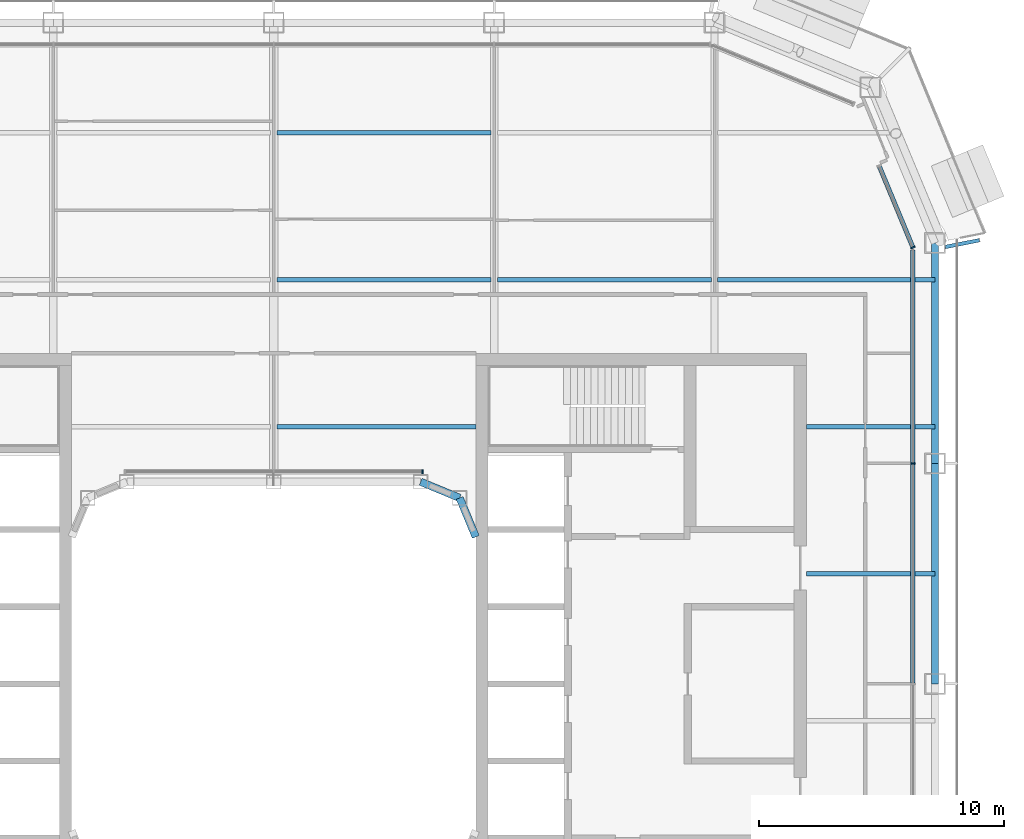
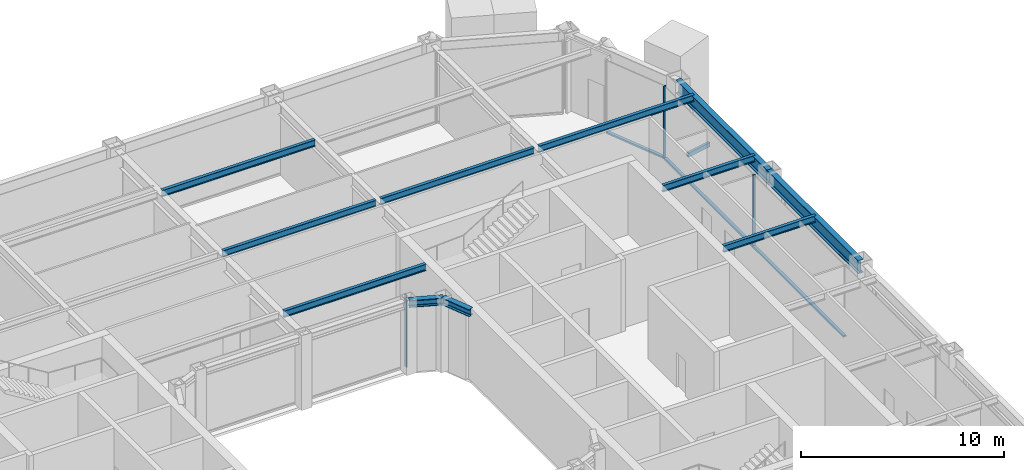
# One storey, part 9 of 23: 12 beams, 6 members, 3 elements without a shape of their own.
"""IFC4 building model written with IfcOpenShell, lengths in metres."""

from ifc_helpers import new_model, si_unit, direction, frame, origin, origin_2d, place, context, subcontext, project, spatial, rectangle, hollow_rectangle, i_section, extrude, material, layer, layer_set, material_profile, profile_set, type_object, element, aggregate, save


model = new_model("IFC4")

# Units and contexts
model_context = context("Model", 3, precision=1e-05, world=origin(), true_north=direction((0.0, 1.0)))
body_context = subcontext(model_context, "Body", "Model", "MODEL_VIEW")
ifc_project = project(units=[si_unit("LENGTHUNIT", "METRE"), si_unit("AREAUNIT", "SQUARE_METRE"), si_unit("VOLUMEUNIT", "CUBIC_METRE"), si_unit("PLANEANGLEUNIT", "RADIAN"), si_unit("MASSUNIT", "GRAM", prefix="KILO")], contexts=[model_context])

# Site, building, storey
site_placement = place(None, origin())
site = spatial("IfcSite", under=ifc_project, at=site_placement, CompositionType="ELEMENT")
building_placement = place(site_placement, origin())
building = spatial("IfcBuilding", under=site, at=building_placement, Name="Siwar Civic Tower", CompositionType="ELEMENT")
storey_placement = place(building_placement, frame((0.0, 0.0, 206.199951171875)))
storey = spatial("IfcBuildingStorey", under=building, at=storey_placement, Name="L44", CompositionType="ELEMENT", Elevation=206.199951171875)

# Beam
ifc_material_1 = material(Name="Steel S355", Category="steel")
ifc_material_profile_1 = material_profile(ifc_material_1, hollow_rectangle(XDim=0.14990234375, YDim=0.25, WallThickness=0.010009765625, at=origin_2d()), Name="RHS250x150x10")
ifc_profile_set_1 = profile_set([ifc_material_profile_1], Name="Steel S355")
beam_type_1 = type_object("IfcBeamType", Name="ENV-BALCONY ARM", PredefinedType="BEAM", material=ifc_profile_set_1)
beam_1_placement = place(storey_placement, frame((27.425048828125, 17.83984375, -0.27490234375), z_axis=(0.980778884878, 0.195122471741, 0.0), x_axis=(-0.195122471741, 0.980778884878, 0.0)))
element("IfcBeam", 1, at=beam_1_placement, inside=storey, type_object=beam_type_1, Name="Balcony cantilever beam NE 1", PredefinedType="BEAM", context=body_context, shape_type="SweptSolid", body=[
    extrude(hollow_rectangle(XDim=0.14990234375, YDim=0.25, WallThickness=0.010009765625, at=origin_2d()), origin(), (0.0, 0.0, 1.0), 1.417724609375),
])

# Curtain wall, member
ifc_material_2 = material(Name="Aluminium and glass", Category="aluminium")
ifc_layer_1 = layer(ifc_material_2, 0.179931640625)
ifc_layer_set_1 = layer_set([ifc_layer_1], Name="Aluminium and glass")
curtain_wall_type_1 = type_object("IfcCurtainWallType", Name="ENV-CW-C", PredefinedType="NOTDEFINED", material=ifc_layer_set_1)
curtain_wall_1_placement = place(storey_placement, origin())
curtain_wall_1 = element("IfcCurtainWall", 2, at=curtain_wall_1_placement, inside=storey, type_object=curtain_wall_type_1, Name="Curtain wall C E", PredefinedType="NOTDEFINED")
ifc_material_3 = material(Name="Aluminium 6063-T6", Category="aluminium")
ifc_material_profile_2 = material_profile(ifc_material_3, rectangle(XDim=0.179931640625, YDim=0.06005859375, at=origin_2d()), Name="AL 180x60")
ifc_profile_set_2 = profile_set([ifc_material_profile_2], Name="Aluminium 6063-T6")
member_type_1 = type_object("IfcMemberType", Name="ENV-MULLION-C", PredefinedType="MULLION", material=ifc_profile_set_2)
member_1_placement = place(storey_placement, frame((26.10009765625, 9.0, 0.0), z_axis=(0.0, 0.0, 1.0), x_axis=(-1.0, 0.0, 0.0)))
member_1 = element("IfcMember", 3, at=member_1_placement, type_object=member_type_1, Name="Mullion C E 4", PredefinedType="MULLION", context=body_context, shape_type="SweptSolid", body=[
    extrude(rectangle(XDim=0.179931640625, YDim=0.06005859375, at=origin_2d()), origin(), (0.0, 0.0, 1.0), 4.35009765625),
])

ifc_material_4 = material(Name="Aluminium clad insulated panel", Category="aluminium")
ifc_layer_2 = layer(ifc_material_4, 0.179931640625)
ifc_layer_set_2 = layer_set([ifc_layer_2], Name="Aluminium clad insulated panel")
curtain_wall_type_2 = type_object("IfcCurtainWallType", Name="ENV-CW-CX", PredefinedType="NOTDEFINED", material=ifc_layer_set_2)
curtain_wall_2_placement = place(storey_placement, origin())
curtain_wall_2 = element("IfcCurtainWall", 4, at=curtain_wall_2_placement, inside=storey, type_object=curtain_wall_type_2, Name="Curtain wall C NE1", PredefinedType="NOTDEFINED")
member_2_placement = place(storey_placement, frame((26.10009765625, 17.821044921875, 0.0), z_axis=(0.0, 0.0, 1.0), x_axis=(-0.923879532511, -0.382683432365, 0.0)))
member_2 = element("IfcMember", 5, at=member_2_placement, type_object=member_type_1, Name="Mullion C NE1 1", PredefinedType="MULLION", context=body_context, shape_type="SweptSolid", body=[
    extrude(rectangle(XDim=0.179931640625, YDim=0.06005859375, at=origin_2d()), origin(), (0.0, 0.0, 1.0), 4.35009765625),
])

ifc_material_5 = material(Name="Aluminium and glass", Category="aluminium")
ifc_layer_3 = layer(ifc_material_5, 0.179931640625)
ifc_layer_set_3 = layer_set([ifc_layer_3], Name="Aluminium and glass")
curtain_wall_type_3 = type_object("IfcCurtainWallType", Name="ENV-CW-W", PredefinedType="NOTDEFINED", material=ifc_layer_set_3)
curtain_wall_3_placement = place(storey_placement, origin())
curtain_wall_3 = element("IfcCurtainWall", 6, at=curtain_wall_3_placement, inside=storey, type_object=curtain_wall_type_3, Name="Curtain wall W WN", PredefinedType="NOTDEFINED")
ifc_material_6 = material(Name="Aluminium 6063-T6", Category="aluminium")
ifc_material_profile_3 = material_profile(ifc_material_6, rectangle(XDim=0.179931640625, YDim=0.06005859375, at=origin_2d()), Name="AL 180x60")
ifc_profile_set_3 = profile_set([ifc_material_profile_3], Name="Aluminium 6063-T6")
member_type_2 = type_object("IfcMemberType", Name="ENV-MULLION-W", PredefinedType="MULLION", material=ifc_profile_set_3)
member_3_placement = place(storey_placement, frame((6.08154296875, 8.659912109375, 0.0), z_axis=(0.0, 0.0, 1.0), x_axis=(0.0, -1.0, 0.0)))
member_3 = element("IfcMember", 7, at=member_3_placement, type_object=member_type_2, Name="Mullion W WN 1", PredefinedType="MULLION", context=body_context, shape_type="SweptSolid", body=[
    extrude(rectangle(XDim=0.179931640625, YDim=0.06005859375, at=origin_2d()), origin(), (0.0, 0.0, 1.0), 4.35009765625),
])
aggregate(curtain_wall_3, [member_3])

# Member
ifc_material_7 = material(Name="Aluminium 6063-T6", Category="aluminium")
ifc_material_profile_4 = material_profile(ifc_material_7, rectangle(XDim=0.179931640625, YDim=0.10009765625, at=origin_2d()), Name="AL 180x100")
ifc_profile_set_4 = profile_set([ifc_material_profile_4], Name="Aluminium 6063-T6")
member_type_3 = type_object("IfcMemberType", Name="ENV-TRANSOM-C", PredefinedType="USERDEFINED", material=ifc_profile_set_4)
member_4_placement = place(storey_placement, frame((26.10009765625, 0.030029296875, 0.050048828125), z_axis=(0.0, 1.0, 0.0), x_axis=(-1.0, 0.0, 0.0)))
member_4 = element("IfcMember", 8, at=member_4_placement, type_object=member_type_3, Name="Transom C E 3", ObjectType="TRANSOM", PredefinedType="USERDEFINED", context=body_context, shape_type="SweptSolid", body=[
    extrude(rectangle(XDim=0.179931640625, YDim=0.10009765625, at=origin_2d()), origin(), (0.0, 0.0, 1.0), 8.93994140625),
])

member_5_placement = place(storey_placement, frame((26.10009765625, 9.030029296875, 0.050048828125), z_axis=(0.0, 1.0, 0.0), x_axis=(-1.0, 0.0, 0.0)))
member_5 = element("IfcMember", 9, at=member_5_placement, type_object=member_type_3, Name="Transom C E 4", ObjectType="TRANSOM", PredefinedType="USERDEFINED", context=body_context, shape_type="SweptSolid", body=[
    extrude(rectangle(XDim=0.179931640625, YDim=0.10009765625, at=origin_2d()), origin(), (0.0, 0.0, 1.0), 8.68603515625),
])

aggregate(curtain_wall_1, [member_1, member_4, member_5])

member_6_placement = place(storey_placement, frame((26.088623046875, 17.8486328125, 0.050048828125), z_axis=(-0.3827185099, 0.92386500214, 0.0), x_axis=(-0.92386500214, -0.3827185099, 0.0)))
member_6 = element("IfcMember", 10, at=member_6_placement, type_object=member_type_3, Name="Transom C NE1 1", ObjectType="TRANSOM", PredefinedType="USERDEFINED", context=body_context, shape_type="SweptSolid", body=[
    extrude(rectangle(XDim=0.179931640625, YDim=0.10009765625, at=origin_2d()), origin(), (0.0, 0.0, 1.0), 3.54736328125),
])

aggregate(curtain_wall_2, [member_2, member_6])

# Beams
ifc_material_8 = material(Name="Steel S355", Category="steel")
ifc_material_profile_5 = material_profile(ifc_material_8, i_section(OverallWidth=0.179931640625, OverallDepth=0.39990234375, WebThickness=0.008544921875, FlangeThickness=0.013427734375, FilletRadius=0.02099609375, at=origin_2d()), Name="IPE400")
ifc_profile_set_5 = profile_set([ifc_material_profile_5], Name="Steel S355")
beam_type_2 = type_object("IfcBeamType", Name="STR-FB-IPE400", PredefinedType="JOIST", material=ifc_profile_set_5)
beam_2_placement = place(storey_placement, frame((21.75, 4.5, 4.150146484375), z_axis=(1.0, 0.0, 0.0), x_axis=(0.0, 1.0, 0.0)))
element("IfcBeam", 11, at=beam_2_placement, inside=storey, type_object=beam_type_2, Name="L44/bm/F026", PredefinedType="JOIST", context=body_context, shape_type="SweptSolid", body=[
    extrude(i_section(OverallWidth=0.179931640625, OverallDepth=0.39990234375, WebThickness=0.008544921875, FlangeThickness=0.013427734375, FilletRadius=0.02099609375, at=origin_2d()), origin(), (0.0, 0.0, 1.0), 5.25),
])
beam_3_placement = place(storey_placement, frame((0.1298828125, 10.5, 4.150146484375), z_axis=(1.0, 0.0, 0.0), x_axis=(0.0, 1.0, 0.0)))
element("IfcBeam", 12, at=beam_3_placement, inside=storey, type_object=beam_type_2, Name="L44/bm/F029", PredefinedType="JOIST", context=body_context, shape_type="SweptSolid", body=[
    extrude(i_section(OverallWidth=0.179931640625, OverallDepth=0.39990234375, WebThickness=0.008544921875, FlangeThickness=0.013427734375, FilletRadius=0.02099609375, at=origin_2d()), origin(), (0.0, 0.0, 1.0), 8.1201171875),
])
beam_4_placement = place(storey_placement, frame((21.75, 10.5, 4.150146484375), z_axis=(1.0, 0.0, 0.0), x_axis=(0.0, 1.0, 0.0)))
element("IfcBeam", 13, at=beam_4_placement, inside=storey, type_object=beam_type_2, Name="L44/bm/F030", PredefinedType="JOIST", context=body_context, shape_type="SweptSolid", body=[
    extrude(i_section(OverallWidth=0.179931640625, OverallDepth=0.39990234375, WebThickness=0.008544921875, FlangeThickness=0.013427734375, FilletRadius=0.02099609375, at=origin_2d()), origin(), (0.0, 0.0, 1.0), 5.25),
])
for number, where, z_axis, x_axis, name in (
    (14, (0.1298828125, 16.5, 4.150146484375), (1.0, 0.0, 0.0), (0.0, 1.0, 0.0), "L44/bm/F034"),
    (15, (9.1298828125, 16.5, 4.150146484375), (1.0, 0.0, 0.0), (0.0, 1.0, 0.0), "L44/bm/F035"),
):
    element("IfcBeam", number, at=place(storey_placement, frame(where, z_axis=z_axis, x_axis=x_axis)), inside=storey, type_object=beam_type_2, Name=name, PredefinedType="JOIST", context=body_context, shape_type="SweptSolid", body=[
        extrude(i_section(OverallWidth=0.179931640625, OverallDepth=0.39990234375, WebThickness=0.008544921875, FlangeThickness=0.013427734375, FilletRadius=0.02099609375, at=origin_2d()), origin(), (0.0, 0.0, 1.0), 8.740234375),
    ])
beam_5_placement = place(storey_placement, frame((18.1298828125, 16.5, 4.150146484375), z_axis=(1.0, 0.0, 0.0), x_axis=(0.0, 1.0, 0.0)))
element("IfcBeam", 16, at=beam_5_placement, inside=storey, type_object=beam_type_2, Name="L44/bm/F036", PredefinedType="JOIST", context=body_context, shape_type="SweptSolid", body=[
    extrude(i_section(OverallWidth=0.179931640625, OverallDepth=0.39990234375, WebThickness=0.008544921875, FlangeThickness=0.013427734375, FilletRadius=0.02099609375, at=origin_2d()), origin(), (0.0, 0.0, 1.0), 8.8701171875),
])
beam_6_placement = place(storey_placement, frame((0.1298828125, 22.5, 4.150146484375), z_axis=(1.0, 0.0, 0.0), x_axis=(0.0, 1.0, 0.0)))
element("IfcBeam", 17, at=beam_6_placement, inside=storey, type_object=beam_type_2, Name="L44/bm/F040", PredefinedType="JOIST", context=body_context, shape_type="SweptSolid", body=[
    extrude(i_section(OverallWidth=0.179931640625, OverallDepth=0.39990234375, WebThickness=0.008544921875, FlangeThickness=0.013427734375, FilletRadius=0.02099609375, at=origin_2d()), origin(), (0.0, 0.0, 1.0), 8.740234375),
])
ifc_material_9 = material(Name="Steel S355", Category="steel")
ifc_material_profile_6 = material_profile(ifc_material_9, i_section(OverallWidth=0.306884765625, OverallDepth=0.431884765625, WebThickness=0.02099609375, FlangeThickness=0.0400390625, FilletRadius=0.027099609375, at=origin_2d()), Name="HEM400")
ifc_profile_set_6 = profile_set([ifc_material_profile_6], Name="Steel S355")
beam_type_3 = type_object("IfcBeamType", Name="STR-RB-HEM400", PredefinedType="BEAM", material=ifc_profile_set_6)
for number, where, z_axis, x_axis, name in (
    (18, (6.0, 8.25, 4.134033203125), (0.923901072997, -0.382631424892, 0.0), (0.382631424892, 0.923901072997, 0.0), "L44/bm/RN3"),
    (19, (7.591064453125, 7.591064453125, 4.134033203125), (0.382631424892, -0.923901072997, 0.0), (0.923901072997, 0.382631424892, 0.0), "L44/bm/RNEE"),
):
    element("IfcBeam", number, at=place(storey_placement, frame(where, z_axis=z_axis, x_axis=x_axis)), inside=storey, type_object=beam_type_3, Name=name, PredefinedType="BEAM", context=body_context, shape_type="SweptSolid", body=[
        extrude(i_section(OverallWidth=0.306884765625, OverallDepth=0.431884765625, WebThickness=0.02099609375, FlangeThickness=0.0400390625, FilletRadius=0.027099609375, at=origin_2d()), origin(), (0.0, 0.0, 1.0), 1.72216796875),
    ])
ifc_material_10 = material(Name="Steel S355", Category="steel")
ifc_material_profile_7 = material_profile(ifc_material_10, i_section(OverallWidth=0.300048828125, OverallDepth=0.800048828125, WebThickness=0.017578125, FlangeThickness=0.032958984375, FilletRadius=0.030029296875, at=origin_2d()), Name="HEB800")
ifc_profile_set_7 = profile_set([ifc_material_profile_7], Name="Steel S355")
beam_type_4 = type_object("IfcBeamType", Name="STR-SB-HEB800", PredefinedType="BEAM", material=ifc_profile_set_7)
for number, where, z_axis, x_axis, name in (
    (20, (27.0, 0.0, 3.949951171875), (0.0, 1.0, 0.0), (-1.0, 0.0, 0.0), "L44/bm/SE-2"),
    (21, (27.0, 9.0, 3.949951171875), (0.0, 1.0, 0.0), (-1.0, 0.0, 0.0), "L44/bm/SE-3"),
):
    element("IfcBeam", number, at=place(storey_placement, frame(where, z_axis=z_axis, x_axis=x_axis)), inside=storey, type_object=beam_type_4, Name=name, PredefinedType="BEAM", context=body_context, shape_type="SweptSolid", body=[
        extrude(i_section(OverallWidth=0.300048828125, OverallDepth=0.800048828125, WebThickness=0.017578125, FlangeThickness=0.032958984375, FilletRadius=0.030029296875, at=origin_2d()), origin(), (0.0, 0.0, 1.0), 9.0),
    ])

save(model, "model.ifc")
